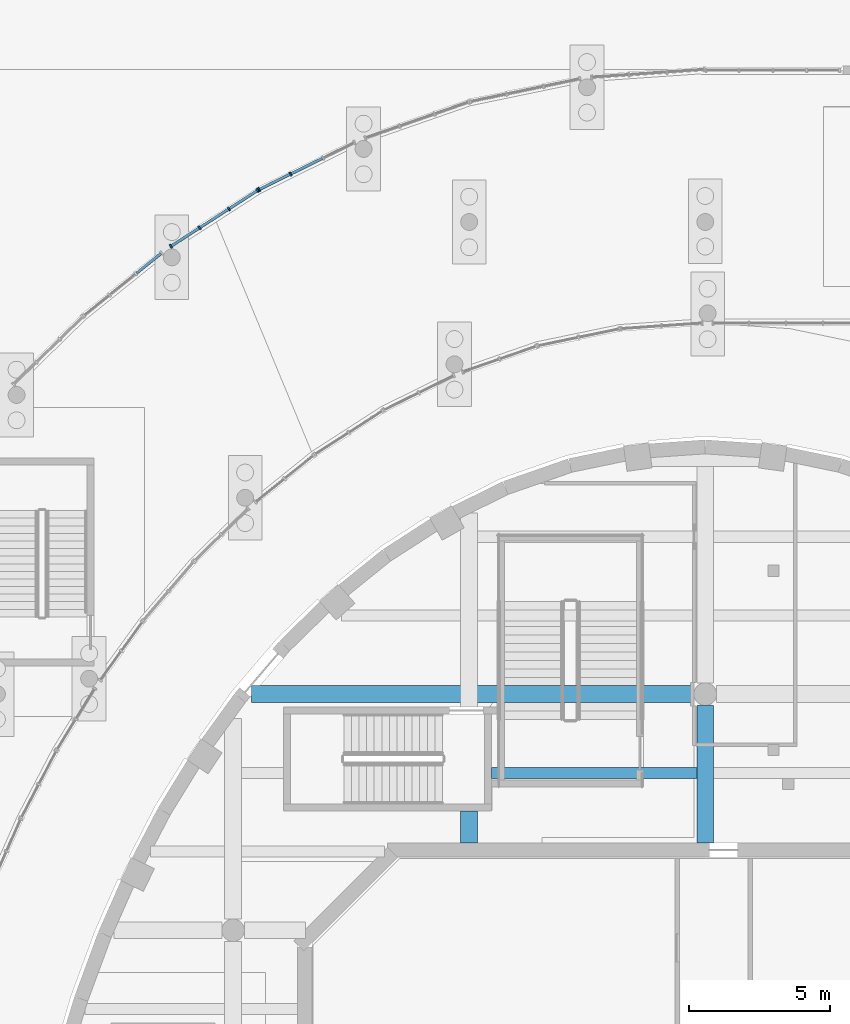
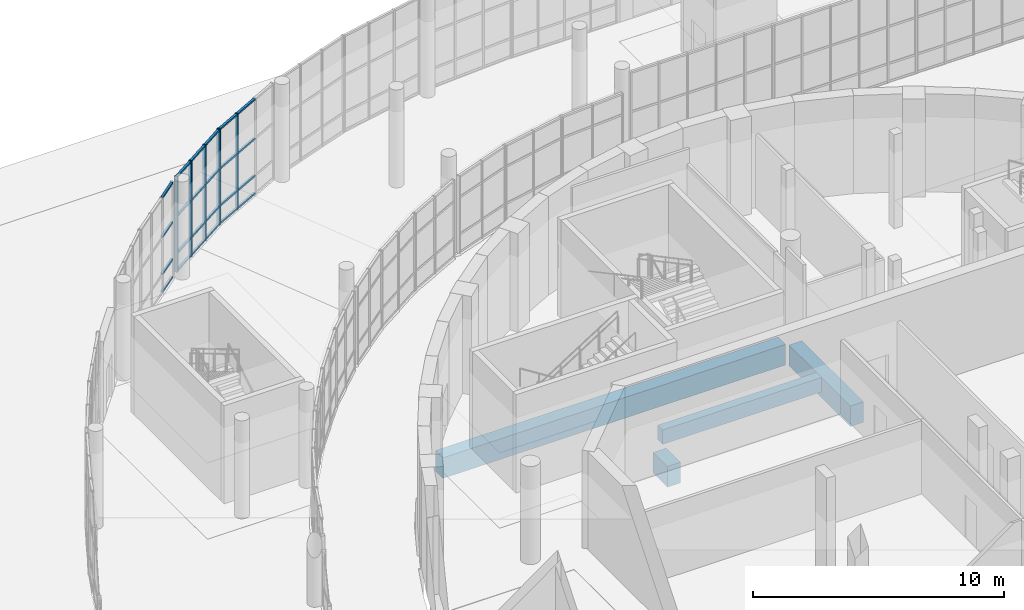
# One storey, part 30 of 110: 30 members, 4 beams, 3 elements without a shape of their own.
"""IFC4 building model written with IfcOpenShell, lengths in metres."""

from ifc_helpers import new_model, si_unit, direction, frame, origin, origin_2d, place, context, subcontext, project, spatial, rectangle, extrude, material, layer, layer_set, material_profile, profile_set, type_object, element, aggregate, save


model = new_model("IFC4")

# Units and contexts
model_context = context("Model", 3, precision=1e-05, world=origin(), true_north=direction((0.0, 1.0)))
body_context = subcontext(model_context, "Body", "Model", "MODEL_VIEW")
ifc_project = project(units=[si_unit("LENGTHUNIT", "METRE"), si_unit("AREAUNIT", "SQUARE_METRE"), si_unit("VOLUMEUNIT", "CUBIC_METRE"), si_unit("PLANEANGLEUNIT", "RADIAN"), si_unit("MASSUNIT", "GRAM", prefix="KILO")], contexts=[model_context])

# Site, building, storey
site_placement = place(None, origin())
site = spatial("IfcSite", under=ifc_project, at=site_placement, CompositionType="ELEMENT")
building_placement = place(site_placement, origin())
building = spatial("IfcBuilding", under=site, at=building_placement, Name="Larchfold Concert Hall", CompositionType="ELEMENT")
storey_placement = place(building_placement, origin())
storey = spatial("IfcBuildingStorey", under=building, at=storey_placement, Name="L00", CompositionType="ELEMENT", Elevation=0.0)

# Curtain wall, members
ifc_material_1 = material(Name="Anodised graphite aluminium curtain wall", Category="aluminium")
ifc_layer = layer(ifc_material_1, 0.14990234375)
ifc_layer_set = layer_set([ifc_layer], Name="Anodised graphite aluminium curtain wall")
curtain_wall_type = type_object("IfcCurtainWallType", Name="Curtain wall WG", PredefinedType="NOTDEFINED", material=ifc_layer_set)
curtain_wall_1_placement = place(storey_placement, origin())
curtain_wall_1 = element("IfcCurtainWall", 1, at=curtain_wall_1_placement, inside=storey, type_object=curtain_wall_type, Name="Curtain wall CW0104", PredefinedType="NOTDEFINED")
ifc_material_2 = material(Name="Anodised graphite aluminium mullion", Category="aluminium")
ifc_material_profile_1 = material_profile(ifc_material_2, rectangle(XDim=0.14990234375, YDim=0.06005859375, at=origin_2d()))
ifc_profile_set_1 = profile_set([ifc_material_profile_1], Name="Anodised graphite aluminium mullion")
member_type_1 = type_object("IfcMemberType", Name="Aluminium mullion 60x150", PredefinedType="MULLION", material=ifc_profile_set_1)
member_1_placement = place(storey_placement, frame((27.847412109375, 128.30810546875, 0.0), z_axis=(0.0, 0.0, 1.0), x_axis=(0.44238339909, -0.896826030069, 0.0)))
member_1 = element("IfcMember", 2, at=member_1_placement, type_object=member_type_1, Name="CW0104 mullion 3", PredefinedType="MULLION", context=body_context, shape_type="SweptSolid", body=[
    extrude(rectangle(XDim=0.14990234375, YDim=0.06005859375, at=origin_2d()), origin(), (0.0, 0.0, 1.0), 4.64990234375),
])
member_2_placement = place(storey_placement, frame((26.724365234375, 127.754150390625, 0.0), z_axis=(0.0, 0.0, 1.0), x_axis=(0.44238339909, -0.896826030069, 0.0)))
member_2 = element("IfcMember", 3, at=member_2_placement, type_object=member_type_1, Name="CW0104 mullion 4", PredefinedType="MULLION", context=body_context, shape_type="SweptSolid", body=[
    extrude(rectangle(XDim=0.14990234375, YDim=0.06005859375, at=origin_2d()), origin(), (0.0, 0.0, 1.0), 4.64990234375),
])

curtain_wall_2_placement = place(storey_placement, origin())
curtain_wall_2 = element("IfcCurtainWall", 4, at=curtain_wall_2_placement, inside=storey, type_object=curtain_wall_type, Name="Curtain wall CW0105", PredefinedType="NOTDEFINED")
member_3_placement = place(storey_placement, frame((26.67236328125, 127.724609375, 0.0), z_axis=(0.0, 0.0, 1.0), x_axis=(0.541763002722, -0.840531289651, 0.0)))
member_3 = element("IfcMember", 5, at=member_3_placement, type_object=member_type_1, Name="CW0105 mullion 1", PredefinedType="MULLION", context=body_context, shape_type="SweptSolid", body=[
    extrude(rectangle(XDim=0.14990234375, YDim=0.06005859375, at=origin_2d()), origin(), (0.0, 0.0, 1.0), 4.64990234375),
])
member_4_placement = place(storey_placement, frame((25.652587890625, 127.0673828125, 0.0), z_axis=(0.0, 0.0, 1.0), x_axis=(0.541763002722, -0.840531289651, 0.0)))
member_4 = element("IfcMember", 6, at=member_4_placement, type_object=member_type_1, Name="CW0105 mullion 2", PredefinedType="MULLION", context=body_context, shape_type="SweptSolid", body=[
    extrude(rectangle(XDim=0.14990234375, YDim=0.06005859375, at=origin_2d()), origin(), (0.0, 0.0, 1.0), 4.64990234375),
])
member_5_placement = place(storey_placement, frame((24.607666015625, 126.39404296875, 0.0), z_axis=(0.0, 0.0, 1.0), x_axis=(0.541763002722, -0.840531289651, 0.0)))
member_5 = element("IfcMember", 7, at=member_5_placement, type_object=member_type_1, Name="CW0105 mullion 3", PredefinedType="MULLION", context=body_context, shape_type="SweptSolid", body=[
    extrude(rectangle(XDim=0.14990234375, YDim=0.06005859375, at=origin_2d()), origin(), (0.0, 0.0, 1.0), 4.64990234375),
])
member_6_placement = place(storey_placement, frame((23.587890625, 125.73681640625, 0.0), z_axis=(0.0, 0.0, 1.0), x_axis=(0.541763002722, -0.840531289651, 0.0)))
member_6 = element("IfcMember", 8, at=member_6_placement, type_object=member_type_1, Name="CW0105 mullion 4", PredefinedType="MULLION", context=body_context, shape_type="SweptSolid", body=[
    extrude(rectangle(XDim=0.14990234375, YDim=0.06005859375, at=origin_2d()), origin(), (0.0, 0.0, 1.0), 4.64990234375),
])

# Member
ifc_material_3 = material(Name="Anodised graphite aluminium transom", Category="aluminium")
ifc_material_profile_2 = material_profile(ifc_material_3, rectangle(XDim=0.10009765625, YDim=0.080078125, at=origin_2d()))
ifc_profile_set_2 = profile_set([ifc_material_profile_2], Name="Anodised graphite aluminium transom")
member_type_2 = type_object("IfcMemberType", Name="Aluminium transom 80x100", PredefinedType="USERDEFINED", material=ifc_profile_set_2)
member_7_placement = place(storey_placement, frame((28.970458984375, 128.862060546875, 0.0400390625), z_axis=(-0.896890407795, -0.442252864779, 0.0), x_axis=(0.442252864779, -0.896890407795, 0.0)))
member_7 = element("IfcMember", 9, at=member_7_placement, type_object=member_type_2, Name="CW0104 transom 2.1", ObjectType="TRANSOM", PredefinedType="USERDEFINED", context=body_context, shape_type="SweptSolid", body=[
    extrude(rectangle(XDim=0.10009765625, YDim=0.080078125, at=origin_2d()), origin(), (0.0, 0.0, 1.0), 1.22216796875),
])

member_8_placement = place(storey_placement, frame((28.970458984375, 128.862060546875, 0.89990234375), z_axis=(-0.896890407795, -0.442252864779, 0.0), x_axis=(0.442252864779, -0.896890407795, 0.0)))
member_8 = element("IfcMember", 10, at=member_8_placement, type_object=member_type_2, Name="CW0104 transom 2.2", ObjectType="TRANSOM", PredefinedType="USERDEFINED", context=body_context, shape_type="SweptSolid", body=[
    extrude(rectangle(XDim=0.10009765625, YDim=0.080078125, at=origin_2d()), origin(), (0.0, 0.0, 1.0), 1.22216796875),
])

member_9_placement = place(storey_placement, frame((28.970458984375, 128.862060546875, 2.699951171875), z_axis=(-0.896890407795, -0.442252864779, 0.0), x_axis=(0.442252864779, -0.896890407795, 0.0)))
member_9 = element("IfcMember", 11, at=member_9_placement, type_object=member_type_2, Name="CW0104 transom 2.3", ObjectType="TRANSOM", PredefinedType="USERDEFINED", context=body_context, shape_type="SweptSolid", body=[
    extrude(rectangle(XDim=0.10009765625, YDim=0.080078125, at=origin_2d()), origin(), (0.0, 0.0, 1.0), 1.22216796875),
])

member_10_placement = place(storey_placement, frame((28.970458984375, 128.862060546875, 4.60986328125), z_axis=(-0.896890407795, -0.442252864779, 0.0), x_axis=(0.442252864779, -0.896890407795, 0.0)))
member_10 = element("IfcMember", 12, at=member_10_placement, type_object=member_type_2, Name="CW0104 transom 2.4", ObjectType="TRANSOM", PredefinedType="USERDEFINED", context=body_context, shape_type="SweptSolid", body=[
    extrude(rectangle(XDim=0.10009765625, YDim=0.080078125, at=origin_2d()), origin(), (0.0, 0.0, 1.0), 1.22216796875),
])

member_11_placement = place(storey_placement, frame((27.820556640625, 128.294921875, 0.0400390625), z_axis=(-0.896870870578, -0.44229248412, 0.0), x_axis=(0.44229248412, -0.896870870578, 0.0)))
member_11 = element("IfcMember", 13, at=member_11_placement, type_object=member_type_2, Name="CW0104 transom 3.1", ObjectType="TRANSOM", PredefinedType="USERDEFINED", context=body_context, shape_type="SweptSolid", body=[
    extrude(rectangle(XDim=0.10009765625, YDim=0.080078125, at=origin_2d()), origin(), (0.0, 0.0, 1.0), 1.1923828125),
])

member_12_placement = place(storey_placement, frame((27.820556640625, 128.294921875, 0.89990234375), z_axis=(-0.896870870578, -0.44229248412, 0.0), x_axis=(0.44229248412, -0.896870870578, 0.0)))
member_12 = element("IfcMember", 14, at=member_12_placement, type_object=member_type_2, Name="CW0104 transom 3.2", ObjectType="TRANSOM", PredefinedType="USERDEFINED", context=body_context, shape_type="SweptSolid", body=[
    extrude(rectangle(XDim=0.10009765625, YDim=0.080078125, at=origin_2d()), origin(), (0.0, 0.0, 1.0), 1.1923828125),
])

member_13_placement = place(storey_placement, frame((27.820556640625, 128.294921875, 2.699951171875), z_axis=(-0.896870870578, -0.44229248412, 0.0), x_axis=(0.44229248412, -0.896870870578, 0.0)))
member_13 = element("IfcMember", 15, at=member_13_placement, type_object=member_type_2, Name="CW0104 transom 3.3", ObjectType="TRANSOM", PredefinedType="USERDEFINED", context=body_context, shape_type="SweptSolid", body=[
    extrude(rectangle(XDim=0.10009765625, YDim=0.080078125, at=origin_2d()), origin(), (0.0, 0.0, 1.0), 1.1923828125),
])

member_14_placement = place(storey_placement, frame((27.820556640625, 128.294921875, 4.60986328125), z_axis=(-0.896870870578, -0.44229248412, 0.0), x_axis=(0.44229248412, -0.896870870578, 0.0)))
member_14 = element("IfcMember", 16, at=member_14_placement, type_object=member_type_2, Name="CW0104 transom 3.4", ObjectType="TRANSOM", PredefinedType="USERDEFINED", context=body_context, shape_type="SweptSolid", body=[
    extrude(rectangle(XDim=0.10009765625, YDim=0.080078125, at=origin_2d()), origin(), (0.0, 0.0, 1.0), 1.1923828125),
])

aggregate(curtain_wall_1, [member_1, member_2, member_7, member_8, member_9, member_10, member_11, member_12, member_13, member_14])

member_15_placement = place(storey_placement, frame((26.64697265625, 127.70849609375, 0.0400390625), z_axis=(-0.840517473761, -0.541784437117, 0.0), x_axis=(0.541784437117, -0.840517473761, 0.0)))
member_15 = element("IfcMember", 17, at=member_15_placement, type_object=member_type_2, Name="CW0105 transom 1.1", ObjectType="TRANSOM", PredefinedType="USERDEFINED", context=body_context, shape_type="SweptSolid", body=[
    extrude(rectangle(XDim=0.10009765625, YDim=0.080078125, at=origin_2d()), origin(), (0.0, 0.0, 1.0), 1.153076171875),
])

member_16_placement = place(storey_placement, frame((26.64697265625, 127.70849609375, 0.89990234375), z_axis=(-0.840517473761, -0.541784437117, 0.0), x_axis=(0.541784437117, -0.840517473761, 0.0)))
member_16 = element("IfcMember", 18, at=member_16_placement, type_object=member_type_2, Name="CW0105 transom 1.2", ObjectType="TRANSOM", PredefinedType="USERDEFINED", context=body_context, shape_type="SweptSolid", body=[
    extrude(rectangle(XDim=0.10009765625, YDim=0.080078125, at=origin_2d()), origin(), (0.0, 0.0, 1.0), 1.153076171875),
])

member_17_placement = place(storey_placement, frame((26.64697265625, 127.70849609375, 2.699951171875), z_axis=(-0.840517473761, -0.541784437117, 0.0), x_axis=(0.541784437117, -0.840517473761, 0.0)))
member_17 = element("IfcMember", 19, at=member_17_placement, type_object=member_type_2, Name="CW0105 transom 1.3", ObjectType="TRANSOM", PredefinedType="USERDEFINED", context=body_context, shape_type="SweptSolid", body=[
    extrude(rectangle(XDim=0.10009765625, YDim=0.080078125, at=origin_2d()), origin(), (0.0, 0.0, 1.0), 1.153076171875),
])

member_18_placement = place(storey_placement, frame((26.64697265625, 127.70849609375, 4.60986328125), z_axis=(-0.840517473761, -0.541784437117, 0.0), x_axis=(0.541784437117, -0.840517473761, 0.0)))
member_18 = element("IfcMember", 20, at=member_18_placement, type_object=member_type_2, Name="CW0105 transom 1.4", ObjectType="TRANSOM", PredefinedType="USERDEFINED", context=body_context, shape_type="SweptSolid", body=[
    extrude(rectangle(XDim=0.10009765625, YDim=0.080078125, at=origin_2d()), origin(), (0.0, 0.0, 1.0), 1.153076171875),
])

member_19_placement = place(storey_placement, frame((25.62744140625, 127.05126953125, 0.0400390625), z_axis=(-0.840520928864, -0.541779076877, 0.0), x_axis=(0.541779076877, -0.840520928864, 0.0)))
member_19 = element("IfcMember", 21, at=member_19_placement, type_object=member_type_2, Name="CW0105 transom 2.1", ObjectType="TRANSOM", PredefinedType="USERDEFINED", context=body_context, shape_type="SweptSolid", body=[
    extrude(rectangle(XDim=0.10009765625, YDim=0.080078125, at=origin_2d()), origin(), (0.0, 0.0, 1.0), 1.183349609375),
])

member_20_placement = place(storey_placement, frame((25.62744140625, 127.05126953125, 0.89990234375), z_axis=(-0.840520928864, -0.541779076877, 0.0), x_axis=(0.541779076877, -0.840520928864, 0.0)))
member_20 = element("IfcMember", 22, at=member_20_placement, type_object=member_type_2, Name="CW0105 transom 2.2", ObjectType="TRANSOM", PredefinedType="USERDEFINED", context=body_context, shape_type="SweptSolid", body=[
    extrude(rectangle(XDim=0.10009765625, YDim=0.080078125, at=origin_2d()), origin(), (0.0, 0.0, 1.0), 1.183349609375),
])

member_21_placement = place(storey_placement, frame((25.62744140625, 127.05126953125, 2.699951171875), z_axis=(-0.840520928864, -0.541779076877, 0.0), x_axis=(0.541779076877, -0.840520928864, 0.0)))
member_21 = element("IfcMember", 23, at=member_21_placement, type_object=member_type_2, Name="CW0105 transom 2.3", ObjectType="TRANSOM", PredefinedType="USERDEFINED", context=body_context, shape_type="SweptSolid", body=[
    extrude(rectangle(XDim=0.10009765625, YDim=0.080078125, at=origin_2d()), origin(), (0.0, 0.0, 1.0), 1.183349609375),
])

member_22_placement = place(storey_placement, frame((25.62744140625, 127.05126953125, 4.60986328125), z_axis=(-0.840520928864, -0.541779076877, 0.0), x_axis=(0.541779076877, -0.840520928864, 0.0)))
member_22 = element("IfcMember", 24, at=member_22_placement, type_object=member_type_2, Name="CW0105 transom 2.4", ObjectType="TRANSOM", PredefinedType="USERDEFINED", context=body_context, shape_type="SweptSolid", body=[
    extrude(rectangle(XDim=0.10009765625, YDim=0.080078125, at=origin_2d()), origin(), (0.0, 0.0, 1.0), 1.183349609375),
])

member_23_placement = place(storey_placement, frame((24.58251953125, 126.377685546875, 0.0400390625), z_axis=(-0.840517473761, -0.541784437117, 0.0), x_axis=(0.541784437117, -0.840517473761, 0.0)))
member_23 = element("IfcMember", 25, at=member_23_placement, type_object=member_type_2, Name="CW0105 transom 3.1", ObjectType="TRANSOM", PredefinedType="USERDEFINED", context=body_context, shape_type="SweptSolid", body=[
    extrude(rectangle(XDim=0.10009765625, YDim=0.080078125, at=origin_2d()), origin(), (0.0, 0.0, 1.0), 1.153076171875),
])

member_24_placement = place(storey_placement, frame((24.58251953125, 126.377685546875, 0.89990234375), z_axis=(-0.840517473761, -0.541784437117, 0.0), x_axis=(0.541784437117, -0.840517473761, 0.0)))
member_24 = element("IfcMember", 26, at=member_24_placement, type_object=member_type_2, Name="CW0105 transom 3.2", ObjectType="TRANSOM", PredefinedType="USERDEFINED", context=body_context, shape_type="SweptSolid", body=[
    extrude(rectangle(XDim=0.10009765625, YDim=0.080078125, at=origin_2d()), origin(), (0.0, 0.0, 1.0), 1.153076171875),
])

member_25_placement = place(storey_placement, frame((24.58251953125, 126.377685546875, 2.699951171875), z_axis=(-0.840517473761, -0.541784437117, 0.0), x_axis=(0.541784437117, -0.840517473761, 0.0)))
member_25 = element("IfcMember", 27, at=member_25_placement, type_object=member_type_2, Name="CW0105 transom 3.3", ObjectType="TRANSOM", PredefinedType="USERDEFINED", context=body_context, shape_type="SweptSolid", body=[
    extrude(rectangle(XDim=0.10009765625, YDim=0.080078125, at=origin_2d()), origin(), (0.0, 0.0, 1.0), 1.153076171875),
])

member_26_placement = place(storey_placement, frame((24.58251953125, 126.377685546875, 4.60986328125), z_axis=(-0.840517473761, -0.541784437117, 0.0), x_axis=(0.541784437117, -0.840517473761, 0.0)))
member_26 = element("IfcMember", 28, at=member_26_placement, type_object=member_type_2, Name="CW0105 transom 3.4", ObjectType="TRANSOM", PredefinedType="USERDEFINED", context=body_context, shape_type="SweptSolid", body=[
    extrude(rectangle(XDim=0.10009765625, YDim=0.080078125, at=origin_2d()), origin(), (0.0, 0.0, 1.0), 1.153076171875),
])

aggregate(curtain_wall_2, [member_3, member_4, member_5, member_6, member_15, member_16, member_17, member_18, member_19, member_20, member_21, member_22, member_23, member_24, member_25, member_26])

# Curtain wall, members
curtain_wall_3_placement = place(storey_placement, origin())
curtain_wall_3 = element("IfcCurtainWall", 29, at=curtain_wall_3_placement, inside=storey, type_object=curtain_wall_type, Name="Curtain wall CW0106", PredefinedType="NOTDEFINED")
member_27_placement = place(storey_placement, frame((23.23095703125, 125.476806640625, 0.0400390625), z_axis=(-0.779024752962, -0.626993169239, 0.0), x_axis=(0.626993169239, -0.779024752962, 0.0)))
member_27 = element("IfcMember", 30, at=member_27_placement, type_object=member_type_2, Name="CW0106 transom 1.1", ObjectType="TRANSOM", PredefinedType="USERDEFINED", context=body_context, shape_type="SweptSolid", body=[
    extrude(rectangle(XDim=0.10009765625, YDim=0.080078125, at=origin_2d()), origin(), (0.0, 0.0, 1.0), 1.11279296875),
])
member_28_placement = place(storey_placement, frame((23.23095703125, 125.476806640625, 0.89990234375), z_axis=(-0.779024752962, -0.626993169239, 0.0), x_axis=(0.626993169239, -0.779024752962, 0.0)))
member_28 = element("IfcMember", 31, at=member_28_placement, type_object=member_type_2, Name="CW0106 transom 1.2", ObjectType="TRANSOM", PredefinedType="USERDEFINED", context=body_context, shape_type="SweptSolid", body=[
    extrude(rectangle(XDim=0.10009765625, YDim=0.080078125, at=origin_2d()), origin(), (0.0, 0.0, 1.0), 1.11279296875),
])
member_29_placement = place(storey_placement, frame((23.23095703125, 125.476806640625, 2.699951171875), z_axis=(-0.779024752962, -0.626993169239, 0.0), x_axis=(0.626993169239, -0.779024752962, 0.0)))
member_29 = element("IfcMember", 32, at=member_29_placement, type_object=member_type_2, Name="CW0106 transom 1.3", ObjectType="TRANSOM", PredefinedType="USERDEFINED", context=body_context, shape_type="SweptSolid", body=[
    extrude(rectangle(XDim=0.10009765625, YDim=0.080078125, at=origin_2d()), origin(), (0.0, 0.0, 1.0), 1.11279296875),
])
member_30_placement = place(storey_placement, frame((23.23095703125, 125.476806640625, 4.60986328125), z_axis=(-0.779024752962, -0.626993169239, 0.0), x_axis=(0.626993169239, -0.779024752962, 0.0)))
member_30 = element("IfcMember", 33, at=member_30_placement, type_object=member_type_2, Name="CW0106 transom 1.4", ObjectType="TRANSOM", PredefinedType="USERDEFINED", context=body_context, shape_type="SweptSolid", body=[
    extrude(rectangle(XDim=0.10009765625, YDim=0.080078125, at=origin_2d()), origin(), (0.0, 0.0, 1.0), 1.11279296875),
])
aggregate(curtain_wall_3, [member_27, member_28, member_29, member_30])

# Beams
ifc_material_4 = material(Name="Concrete C35/45", Category="concrete")
ifc_material_profile_3 = material_profile(ifc_material_4, rectangle(XDim=0.39990234375, YDim=0.699951171875, at=origin_2d()))
ifc_profile_set_3 = profile_set([ifc_material_profile_3], Name="Concrete C35/45")
beam_type_1 = type_object("IfcBeamType", Name="Beam RC 400x700", PredefinedType="BEAM", material=ifc_profile_set_3)
beam_1_placement = place(storey_placement, frame((35.0, 107.0, -0.550048828125), z_axis=(1.0, 0.0, 0.0), x_axis=(0.0, 1.0, 0.0)))
element("IfcBeam", 34, at=beam_1_placement, inside=storey, type_object=beam_type_1, Name="Beam B1174", PredefinedType="BEAM", context=body_context, shape_type="SweptSolid", body=[
    extrude(rectangle(XDim=0.39990234375, YDim=0.699951171875, at=origin_2d()), origin(), (0.0, 0.0, 1.0), 7.300048828125),
])
ifc_material_5 = material(Name="Concrete C35/45", Category="concrete")
ifc_material_profile_4 = material_profile(ifc_material_5, rectangle(XDim=0.60009765625, YDim=1.0, at=origin_2d()))
ifc_profile_set_4 = profile_set([ifc_material_profile_4], Name="Concrete C35/45")
beam_type_2 = type_object("IfcBeamType", Name="Beam RC 600x1000", PredefinedType="BEAM", material=ifc_profile_set_4)
beam_2_placement = place(storey_placement, frame((34.199951171875, 104.510009765625, -0.699951171875), z_axis=(0.0, 1.0, 0.0), x_axis=(-1.0, 0.0, 0.0)))
element("IfcBeam", 35, at=beam_2_placement, inside=storey, type_object=beam_type_2, Name="Beam B1110", PredefinedType="BEAM", context=body_context, shape_type="SweptSolid", body=[
    extrude(rectangle(XDim=0.60009765625, YDim=1.0, at=origin_2d()), origin(), (0.0, 0.0, 1.0), 1.139892578125),
])
beam_3_placement = place(storey_placement, frame((42.60009765625, 104.510009765625, -0.699951171875), z_axis=(0.0, 1.0, 0.0), x_axis=(-1.0, 0.0, 0.0)))
element("IfcBeam", 36, at=beam_3_placement, inside=storey, type_object=beam_type_2, Name="Beam B1112", PredefinedType="BEAM", context=body_context, shape_type="SweptSolid", body=[
    extrude(rectangle(XDim=0.60009765625, YDim=1.0, at=origin_2d()), origin(), (0.0, 0.0, 1.0), 4.8916015625),
])
beam_4_placement = place(storey_placement, frame((26.464111328125, 109.800048828125, -0.699951171875), z_axis=(1.0, 0.0, 0.0), x_axis=(0.0, 1.0, 0.0)))
element("IfcBeam", 37, at=beam_4_placement, inside=storey, type_object=beam_type_2, Name="Beam B1132", PredefinedType="BEAM", context=body_context, shape_type="SweptSolid", body=[
    extrude(rectangle(XDim=0.60009765625, YDim=1.0, at=origin_2d()), origin(), (0.0, 0.0, 1.0), 15.737548828125),
])

save(model, "model.ifc")
